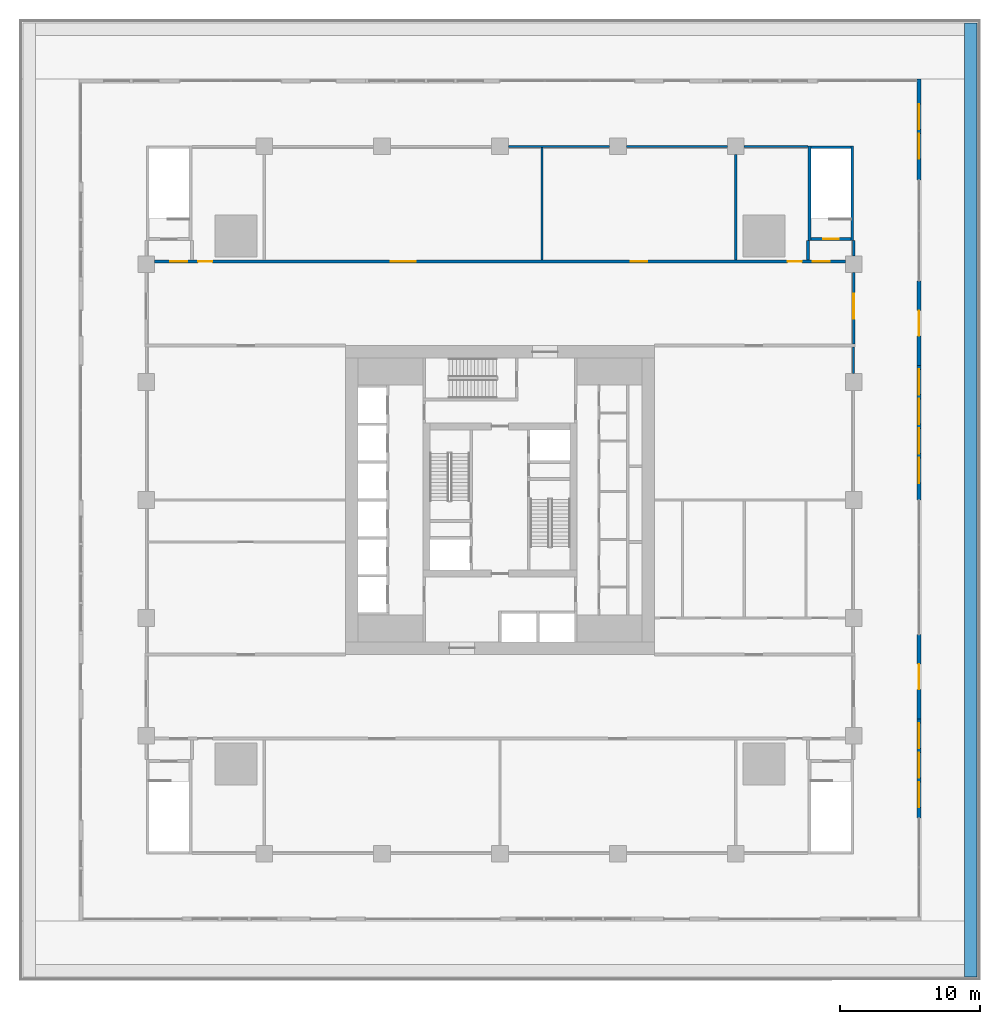
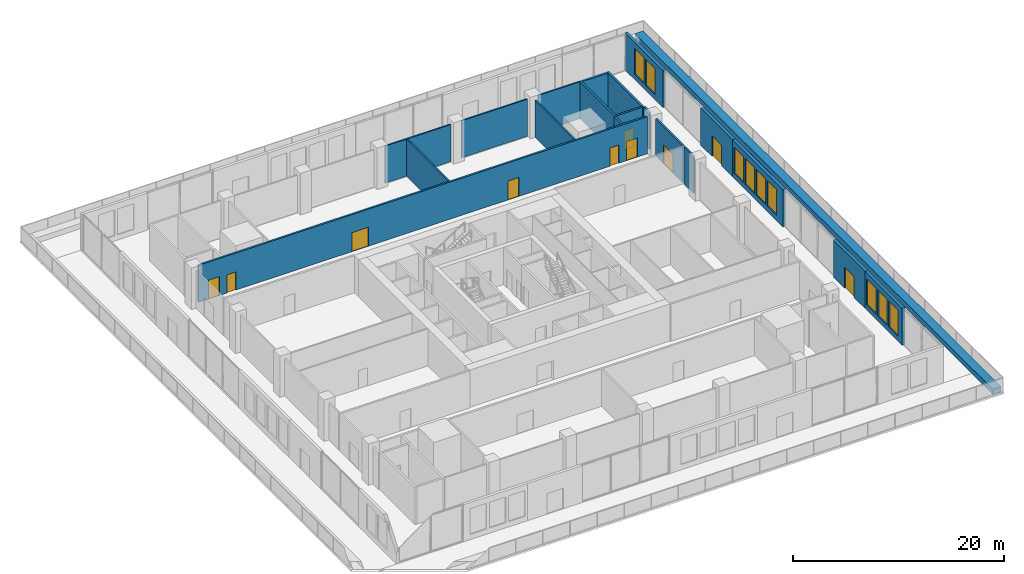
# One storey, part 16 of 22: 20 walls, 10 doors, 9 windows, 19 openings.
"""IFC4 building model written with IfcOpenShell, lengths in metres."""

import ifcopenshell
import ifcopenshell.guid

model = None  # the IFC model being written
_history = None  # IfcOwnerHistory: only IFC2X3 demands one
_inside = {}  # id of a spatial element -> (the spatial element, [elements in it])
_under = {}  # id of a project, library or spatial element -> (it, [spatial elements below it])
_declared = {}  # id of a project -> (the project, [libraries it declares])
_typed = {}  # id of a type object -> (the type object, [elements of that type])
_made_of = {}  # id of a material, layer set ... -> (it, [elements and type objects made of it])


def new_model(schema):
    """Start an empty IFC model of exactly this schema.

    Asked for "IFC4X3", IfcOpenShell would pick the latest addendum, in which some entities
    have other attributes; the version numbers below select the first issue.
    IFC2X3 requires an IfcOwnerHistory on every rooted entity: one is made here for all.
    """
    global model, _history
    if schema == "IFC4X3":
        model = ifcopenshell.file(schema_version=(4, 3, 0, 0))
    else:
        model = ifcopenshell.file(schema=schema)
    _inside.clear()
    _under.clear()
    _declared.clear()
    _typed.clear()
    _made_of.clear()
    _history = None
    if model.schema == "IFC2X3":
        org = make("IfcOrganization", Name="unknown")
        user = make(
            "IfcPersonAndOrganization",
            ThePerson=make("IfcPerson", FamilyName="unknown"),
            TheOrganization=org,
        )
        app = make(
            "IfcApplication",
            ApplicationDeveloper=org,
            Version="unknown",
            ApplicationFullName="unknown",
            ApplicationIdentifier="unknown",
        )
        _history = make(
            "IfcOwnerHistory",
            OwningUser=user,
            OwningApplication=app,
            ChangeAction="ADDED",
            CreationDate=0,
        )
    return model


def make(cls, **values):
    """One entity of the class cls with the attributes given. An attribute that is None is left unset."""
    return model.create_entity(
        cls, **{name: value for name, value in values.items() if value is not None}
    )


def rooted(cls, **values):
    """An entity with a GlobalId (a new one), such as an element, a storey or a relation."""
    return make(cls, GlobalId=ifcopenshell.guid.new(), OwnerHistory=_history, **values)


def si_unit(unit_type, name, prefix=None):
    """IfcSIUnit, for example si_unit("LENGTHUNIT", "METRE", prefix="MILLI")."""
    return make("IfcSIUnit", UnitType=unit_type, Prefix=prefix, Name=name)


def assignment(units):
    """IfcUnitAssignment: the units of a project."""
    return None if units is None else make("IfcUnitAssignment", Units=units)


def point(xyz):
    """IfcCartesianPoint."""
    return None if xyz is None else make("IfcCartesianPoint", Coordinates=xyz)


def direction(xyz):
    """IfcDirection."""
    return None if xyz is None else make("IfcDirection", DirectionRatios=xyz)


def frame(location, z_axis=None, x_axis=None):
    """IfcAxis2Placement3D, a coordinate frame: its origin and axes. An axis left out is left unset."""
    return make(
        "IfcAxis2Placement3D",
        Location=point(location),
        Axis=direction(z_axis),
        RefDirection=direction(x_axis),
    )


def frame_2d(location, x_axis=None):
    """IfcAxis2Placement2D, a coordinate frame in the plane: its origin and x axis."""
    return make(
        "IfcAxis2Placement2D", Location=point(location), RefDirection=direction(x_axis)
    )


def origin():
    """The frame at (0, 0, 0) with its axes left unset."""
    return frame((0.0, 0.0, 0.0))


def place(relative_to, where):
    """IfcLocalPlacement: puts the frame where relative to a parent placement (None: the world)."""
    return make(
        "IfcLocalPlacement", PlacementRelTo=relative_to, RelativePlacement=where
    )


def context(
    kind, dimensions, precision=None, world=None, true_north=None, identifier=None
):
    """IfcGeometricRepresentationContext, for example the 3D "Model" context."""
    return make(
        "IfcGeometricRepresentationContext",
        ContextIdentifier=identifier,
        ContextType=kind,
        CoordinateSpaceDimension=dimensions,
        Precision=precision,
        WorldCoordinateSystem=world,
        TrueNorth=true_north,
    )


def subcontext(parent, identifier, kind, view, scale=None):
    """IfcGeometricRepresentationSubContext, for example "Body" below "Model"."""
    return make(
        "IfcGeometricRepresentationSubContext",
        ContextIdentifier=identifier,
        ContextType=kind,
        ParentContext=parent,
        TargetScale=scale,
        TargetView=view,
    )


def project(units=None, contexts=None):
    """IfcProject with its units and contexts."""
    return rooted(
        "IfcProject",
        Name="project",
        RepresentationContexts=contexts,
        UnitsInContext=assignment(units),
    )


def spatial(cls, under=None, at=None, **own):
    """A site, building, storey or space (cls), placed at a placement, below another one or the project."""
    s = rooted(cls, ObjectPlacement=at, **own)
    if under is not None:
        _under.setdefault(under.id(), (under, []))[1].append(s)
    return s


def profile(cls, at=None, kind="AREA", **sizes):
    """A parametric profile (cls). Its sizes go by their IFC names, for example OverallWidth=200.0."""
    return make(cls, ProfileType=kind, Position=at, **sizes)


def rectangle(**sizes):
    """IfcRectangleProfileDef."""
    return profile("IfcRectangleProfileDef", **sizes)


def extrude(swept, where, along, depth):
    """IfcExtrudedAreaSolid: the profile swept, set in the frame where, extruded along a direction by depth."""
    return make(
        "IfcExtrudedAreaSolid",
        SweptArea=swept,
        Position=where,
        ExtrudedDirection=direction(along),
        Depth=depth,
    )


def shape(context_of_items, identifier, shape_type, items):
    """IfcShapeRepresentation: the items that make up one representation, for example the "Body"."""
    return make(
        "IfcShapeRepresentation",
        ContextOfItems=context_of_items,
        RepresentationIdentifier=identifier,
        RepresentationType=shape_type,
        Items=items,
    )


def material(Name=None, Category=None):
    """IfcMaterial."""
    return make("IfcMaterial", Name=Name, Category=Category)


def layer(
    of_material, thickness, ventilated=None, Name=None, Category=None, Priority=None
):
    """IfcMaterialLayer: one layer of a wall or slab, of a material (None: an air gap)."""
    return make(
        "IfcMaterialLayer",
        Material=of_material,
        LayerThickness=thickness,
        IsVentilated=ventilated,
        Name=Name,
        Category=Category,
        Priority=Priority,
    )


def layer_set(layers, Name=None):
    """IfcMaterialLayerSet."""
    return make("IfcMaterialLayerSet", MaterialLayers=layers, LayerSetName=Name)


def made_of(thing, what):
    """Note that an element or type object is made of a material, layer set ...; save() writes the relation."""
    if what is not None:
        _made_of.setdefault(what.id(), (what, []))[1].append(thing)
    return thing


def type_object(cls, material=None, **own):
    """A type object (cls), such as IfcWallType, which elements share."""
    return made_of(rooted(cls, **own), material)


def element(
    cls,
    number,
    at=None,
    inside=None,
    cuts=None,
    type_object=None,
    material=None,
    context=None,
    identifier="Body",
    shape_type=None,
    held_by="IfcProductDefinitionShape",
    body=None,
    shapes=None,
    **own,
):
    """One element of the class cls, such as IfcWall. Its Tag is "e" and its number.

    at: its placement. inside: the storey or other place that contains it. cuts: it is an
    opening in that element (IfcRelVoidsElement). A single representation is given by context,
    identifier, shape_type and body (its items); several are given by shapes. held_by: the class
    of the entity that holds the representations. save() writes the other relations.
    """
    e = rooted(cls, Tag="e%d" % number, ObjectPlacement=at, **own)
    if body is not None:
        shapes = [shape(context, identifier, shape_type, body)]
    if shapes is not None:
        e.Representation = make(held_by, Representations=shapes)
    if inside is not None:
        _inside.setdefault(inside.id(), (inside, []))[1].append(e)
    if cuts is not None:
        rooted(
            "IfcRelVoidsElement", RelatingBuildingElement=cuts, RelatedOpeningElement=e
        )
    if type_object is not None:
        _typed.setdefault(type_object.id(), (type_object, []))[1].append(e)
    return made_of(e, material)


def fill(opening, filler):
    """IfcRelFillsElement: the door or window that sits in an opening."""
    return rooted(
        "IfcRelFillsElement",
        RelatingOpeningElement=opening,
        RelatedBuildingElement=filler,
    )


def aggregate(whole, parts):
    """IfcRelAggregates: a whole, such as a stair, and the parts it consists of."""
    return rooted("IfcRelAggregates", RelatingObject=whole, RelatedObjects=parts)


def save(model, path):
    """Write the relations noted so far, then the file.

    IfcRelAggregates (storeys below a building ...), IfcRelContainedInSpatialStructure (elements
    in a storey), IfcRelDefinesByType, IfcRelAssociatesMaterial and IfcRelDeclares: one each for
    every whole, place, type object, material and project.
    """
    for whole, parts in _under.values():
        aggregate(whole, parts)
    for where, things in _inside.values():
        rooted(
            "IfcRelContainedInSpatialStructure",
            RelatedElements=things,
            RelatingStructure=where,
        )
    for kind, things in _typed.values():
        rooted("IfcRelDefinesByType", RelatedObjects=things, RelatingType=kind)
    for what, things in _made_of.values():
        rooted("IfcRelAssociatesMaterial", RelatedObjects=things, RelatingMaterial=what)
    for by, libraries in _declared.values():
        rooted("IfcRelDeclares", RelatingContext=by, RelatedDefinitions=libraries)
    model.write(path)


model = new_model("IFC4")

# Units and contexts
model_context = context("Model", 3, precision=1e-05, world=origin(), true_north=direction((0.0, 1.0)))
body_context = subcontext(model_context, "Body", "Model", "MODEL_VIEW")
ifc_project = project(units=[si_unit("LENGTHUNIT", "METRE"), si_unit("AREAUNIT", "SQUARE_METRE"), si_unit("VOLUMEUNIT", "CUBIC_METRE"), si_unit("PLANEANGLEUNIT", "RADIAN"), si_unit("MASSUNIT", "GRAM", prefix="KILO")], contexts=[model_context])

# Site, building, storey
site_placement = place(None, origin())
site = spatial("IfcSite", under=ifc_project, at=site_placement, CompositionType="ELEMENT")
building_placement = place(site_placement, origin())
building = spatial("IfcBuilding", under=site, at=building_placement, Name="Khepri Terraces", CompositionType="ELEMENT")
storey_placement = place(building_placement, frame((0.0, 0.0, 22.199951171875)))
storey = spatial("IfcBuildingStorey", under=building, at=storey_placement, Name="L04", CompositionType="ELEMENT", Elevation=22.199951171875)

# Wall, openings, windows
ifc_material_1 = material(Name="Precast concrete C50/60 warm stone", Category="masonry")
ifc_layer_1 = layer(ifc_material_1, 0.300048828125, Name="Precast concrete C50/60 warm stone", Category="masonry")
ifc_layer_set_1 = layer_set([ifc_layer_1], Name="Precast concrete C50/60 warm stone")
wall_type_1 = type_object("IfcWallType", Name="WL-EXT-PRECAST-300", PredefinedType="STANDARD", material=ifc_layer_set_1)
wall_1_placement = place(storey_placement, frame((29.85009765625, -22.64990234375, 0.0), z_axis=(0.0, 0.0, 1.0), x_axis=(0.0, 1.0, 0.0)))
wall_1 = element("IfcWall", 1, at=wall_1_placement, inside=storey, type_object=wall_type_1, Name="External wall L04 E", PredefinedType="STANDARD", context=body_context, shape_type="SweptSolid", body=[
    extrude(rectangle(XDim=7.0498046875, YDim=0.300048828125, at=frame_2d((3.52490234375, 0.0))), origin(), (0.0, 0.0, 1.0), 4.300048828125),
])
opening_1_placement = place(wall_1_placement, frame((0.75, 0.0, 0.60009765625)))
opening_1 = element("IfcOpeningElement", 2, at=opening_1_placement, cuts=wall_1, Name="Opening WP1", PredefinedType="OPENING", context=body_context, shape_type="SweptSolid", body=[
    extrude(rectangle(XDim=1.800048828125, YDim=3.0, at=frame_2d((0.89990234375, 1.5))), frame((0.0, 0.16015625, 0.0), z_axis=(0.0, -1.0, 0.0), x_axis=(1.0, 0.0, 0.0)), (0.0, 0.0, 1.0), 0.320068359375),
])
opening_2_placement = place(wall_1_placement, frame((2.85009765625, 0.0, 0.60009765625)))
opening_2 = element("IfcOpeningElement", 3, at=opening_2_placement, cuts=wall_1, Name="Opening WP1", PredefinedType="OPENING", context=body_context, shape_type="SweptSolid", body=[
    extrude(rectangle(XDim=1.800048828125, YDim=3.0, at=frame_2d((0.89990234375, 1.5))), frame((0.0, 0.16015625, 0.0), z_axis=(0.0, -1.0, 0.0), x_axis=(1.0, 0.0, 0.0)), (0.0, 0.0, 1.0), 0.320068359375),
])
opening_3_placement = place(wall_1_placement, frame((4.949951171875, 0.0, 0.60009765625)))
opening_3 = element("IfcOpeningElement", 4, at=opening_3_placement, cuts=wall_1, Name="Opening WP1", PredefinedType="OPENING", context=body_context, shape_type="SweptSolid", body=[
    extrude(rectangle(XDim=1.800048828125, YDim=3.0, at=frame_2d((0.89990234375, 1.5))), frame((0.0, 0.16015625, 0.0), z_axis=(0.0, -1.0, 0.0), x_axis=(1.0, 0.0, 0.0)), (0.0, 0.0, 1.0), 0.320068359375),
])
ifc_material_2 = material(Name="Clear glass", Category="glass")
window_type = type_object("IfcWindowType", Name="WIN-POD-1800x3000", PartitioningType="SINGLE_PANEL", PredefinedType="WINDOW", material=ifc_material_2)
window_1_placement = place(opening_1_placement, origin())
window_1 = element("IfcWindow", 5, at=window_1_placement, inside=storey, type_object=window_type, Name="Window L04 E", OverallHeight=3.0, OverallWidth=1.800048828125, PartitioningType="SINGLE_PANEL", PredefinedType="WINDOW", context=body_context, shape_type="SweptSolid", body=[
    extrude(rectangle(XDim=1.800048828125, YDim=3.0, at=frame_2d((0.89990234375, 1.5))), frame((0.0, 0.030029296875, 0.0), z_axis=(0.0, -1.0, 0.0), x_axis=(1.0, 0.0, 0.0)), (0.0, 0.0, 1.0), 0.06005859375),
])
fill(opening_1, window_1)
window_2_placement = place(opening_2_placement, origin())
window_2 = element("IfcWindow", 6, at=window_2_placement, inside=storey, type_object=window_type, Name="Window L04 E", OverallHeight=3.0, OverallWidth=1.800048828125, PartitioningType="SINGLE_PANEL", PredefinedType="WINDOW", context=body_context, shape_type="SweptSolid", body=[
    extrude(rectangle(XDim=1.800048828125, YDim=3.0, at=frame_2d((0.89990234375, 1.5))), frame((0.0, 0.030029296875, 0.0), z_axis=(0.0, -1.0, 0.0), x_axis=(1.0, 0.0, 0.0)), (0.0, 0.0, 1.0), 0.06005859375),
])
fill(opening_2, window_2)
window_3_placement = place(opening_3_placement, origin())
window_3 = element("IfcWindow", 7, at=window_3_placement, inside=storey, type_object=window_type, Name="Window L04 E", OverallHeight=3.0, OverallWidth=1.800048828125, PartitioningType="SINGLE_PANEL", PredefinedType="WINDOW", context=body_context, shape_type="SweptSolid", body=[
    extrude(rectangle(XDim=1.800048828125, YDim=3.0, at=frame_2d((0.89990234375, 1.5))), frame((0.0, 0.030029296875, 0.0), z_axis=(0.0, -1.0, 0.0), x_axis=(1.0, 0.0, 0.0)), (0.0, 0.0, 1.0), 0.06005859375),
])
fill(opening_3, window_3)

# Wall, opening, door
wall_2_placement = place(storey_placement, frame((29.85009765625, -15.60009765625, 0.0), z_axis=(0.0, 0.0, 1.0), x_axis=(0.0, 1.0, 0.0)))
wall_2 = element("IfcWall", 8, at=wall_2_placement, inside=storey, type_object=wall_type_1, Name="External wall L04 E", PredefinedType="STANDARD", context=body_context, shape_type="SweptSolid", body=[
    extrude(rectangle(XDim=6.0, YDim=0.300048828125, at=frame_2d((3.0, 0.0))), origin(), (0.0, 0.0, 1.0), 4.300048828125),
])
opening_4_placement = place(wall_2_placement, frame((2.10009765625, 0.0, 0.0)))
opening_4 = element("IfcOpeningElement", 9, at=opening_4_placement, cuts=wall_2, Name="Opening ED-L04-03", PredefinedType="OPENING", context=body_context, shape_type="SweptSolid", body=[
    extrude(rectangle(XDim=1.800048828125, YDim=2.39990234375, at=frame_2d((0.89990234375, 1.199951171875))), frame((0.0, 0.16015625, 0.0), z_axis=(0.0, -1.0, 0.0), x_axis=(1.0, 0.0, 0.0)), (0.0, 0.0, 1.0), 0.320068359375),
])
ifc_material_3 = material(Name="Anodised aluminium bronze glazed door", Category="aluminium")
door_type_1 = type_object("IfcDoorType", Name="DR-BAL-SLIDE-1800x2400", OperationType="NOTDEFINED", PredefinedType="DOOR", material=ifc_material_3)
door_1_placement = place(opening_4_placement, origin())
door_1 = element("IfcDoor", 10, at=door_1_placement, inside=storey, type_object=door_type_1, Name="Balcony door L04 E", OperationType="SLIDING_TO_RIGHT", OverallHeight=2.39990234375, OverallWidth=1.800048828125, PredefinedType="DOOR", context=body_context, shape_type="SweptSolid", body=[
    extrude(rectangle(XDim=1.800048828125, YDim=2.39990234375, at=frame_2d((0.89990234375, 1.199951171875))), frame((0.0, 0.02490234375, 0.0), z_axis=(0.0, -1.0, 0.0), x_axis=(1.0, 0.0, 0.0)), (0.0, 0.0, 1.0), 0.050048828125),
])
fill(opening_4, door_1)

# Wall, openings, windows
wall_3_placement = place(storey_placement, frame((29.85009765625, 0.0, 0.0), z_axis=(0.0, 0.0, 1.0), x_axis=(0.0, 1.0, 0.0)))
wall_3 = element("IfcWall", 11, at=wall_3_placement, inside=storey, type_object=wall_type_1, Name="External wall L04 E", PredefinedType="STANDARD", context=body_context, shape_type="SweptSolid", body=[
    extrude(rectangle(XDim=9.60009765625, YDim=0.300048828125, at=frame_2d((4.800048828125, 0.0))), origin(), (0.0, 0.0, 1.0), 4.300048828125),
])
opening_5_placement = place(wall_3_placement, frame((1.199951171875, 0.0, 0.60009765625)))
opening_5 = element("IfcOpeningElement", 12, at=opening_5_placement, cuts=wall_3, Name="Opening WP1", PredefinedType="OPENING", context=body_context, shape_type="SweptSolid", body=[
    extrude(rectangle(XDim=1.800048828125, YDim=3.0, at=frame_2d((0.89990234375, 1.5))), frame((0.0, 0.16015625, 0.0), z_axis=(0.0, -1.0, 0.0), x_axis=(1.0, 0.0, 0.0)), (0.0, 0.0, 1.0), 0.320068359375),
])
opening_6_placement = place(wall_3_placement, frame((3.300048828125, 0.0, 0.60009765625)))
opening_6 = element("IfcOpeningElement", 13, at=opening_6_placement, cuts=wall_3, Name="Opening WP1", PredefinedType="OPENING", context=body_context, shape_type="SweptSolid", body=[
    extrude(rectangle(XDim=1.800048828125, YDim=3.0, at=frame_2d((0.89990234375, 1.5))), frame((0.0, 0.16015625, 0.0), z_axis=(0.0, -1.0, 0.0), x_axis=(1.0, 0.0, 0.0)), (0.0, 0.0, 1.0), 0.320068359375),
])
opening_7_placement = place(wall_3_placement, frame((5.39990234375, 0.0, 0.60009765625)))
opening_7 = element("IfcOpeningElement", 14, at=opening_7_placement, cuts=wall_3, Name="Opening WP1", PredefinedType="OPENING", context=body_context, shape_type="SweptSolid", body=[
    extrude(rectangle(XDim=1.800048828125, YDim=3.0, at=frame_2d((0.89990234375, 1.5))), frame((0.0, 0.16015625, 0.0), z_axis=(0.0, -1.0, 0.0), x_axis=(1.0, 0.0, 0.0)), (0.0, 0.0, 1.0), 0.320068359375),
])
opening_8_placement = place(wall_3_placement, frame((7.5, 0.0, 0.60009765625)))
opening_8 = element("IfcOpeningElement", 15, at=opening_8_placement, cuts=wall_3, Name="Opening WP1", PredefinedType="OPENING", context=body_context, shape_type="SweptSolid", body=[
    extrude(rectangle(XDim=1.800048828125, YDim=3.0, at=frame_2d((0.89990234375, 1.5))), frame((0.0, 0.16015625, 0.0), z_axis=(0.0, -1.0, 0.0), x_axis=(1.0, 0.0, 0.0)), (0.0, 0.0, 1.0), 0.320068359375),
])
window_4_placement = place(opening_5_placement, origin())
window_4 = element("IfcWindow", 16, at=window_4_placement, inside=storey, type_object=window_type, Name="Window L04 E", OverallHeight=3.0, OverallWidth=1.800048828125, PartitioningType="SINGLE_PANEL", PredefinedType="WINDOW", context=body_context, shape_type="SweptSolid", body=[
    extrude(rectangle(XDim=1.800048828125, YDim=3.0, at=frame_2d((0.89990234375, 1.5))), frame((0.0, 0.030029296875, 0.0), z_axis=(0.0, -1.0, 0.0), x_axis=(1.0, 0.0, 0.0)), (0.0, 0.0, 1.0), 0.06005859375),
])
fill(opening_5, window_4)
window_5_placement = place(opening_6_placement, origin())
window_5 = element("IfcWindow", 17, at=window_5_placement, inside=storey, type_object=window_type, Name="Window L04 E", OverallHeight=3.0, OverallWidth=1.800048828125, PartitioningType="SINGLE_PANEL", PredefinedType="WINDOW", context=body_context, shape_type="SweptSolid", body=[
    extrude(rectangle(XDim=1.800048828125, YDim=3.0, at=frame_2d((0.89990234375, 1.5))), frame((0.0, 0.030029296875, 0.0), z_axis=(0.0, -1.0, 0.0), x_axis=(1.0, 0.0, 0.0)), (0.0, 0.0, 1.0), 0.06005859375),
])
fill(opening_6, window_5)
window_6_placement = place(opening_7_placement, origin())
window_6 = element("IfcWindow", 18, at=window_6_placement, inside=storey, type_object=window_type, Name="Window L04 E", OverallHeight=3.0, OverallWidth=1.800048828125, PartitioningType="SINGLE_PANEL", PredefinedType="WINDOW", context=body_context, shape_type="SweptSolid", body=[
    extrude(rectangle(XDim=1.800048828125, YDim=3.0, at=frame_2d((0.89990234375, 1.5))), frame((0.0, 0.030029296875, 0.0), z_axis=(0.0, -1.0, 0.0), x_axis=(1.0, 0.0, 0.0)), (0.0, 0.0, 1.0), 0.06005859375),
])
fill(opening_7, window_6)
window_7_placement = place(opening_8_placement, origin())
window_7 = element("IfcWindow", 19, at=window_7_placement, inside=storey, type_object=window_type, Name="Window L04 E", OverallHeight=3.0, OverallWidth=1.800048828125, PartitioningType="SINGLE_PANEL", PredefinedType="WINDOW", context=body_context, shape_type="SweptSolid", body=[
    extrude(rectangle(XDim=1.800048828125, YDim=3.0, at=frame_2d((0.89990234375, 1.5))), frame((0.0, 0.030029296875, 0.0), z_axis=(0.0, -1.0, 0.0), x_axis=(1.0, 0.0, 0.0)), (0.0, 0.0, 1.0), 0.06005859375),
])
fill(opening_8, window_7)

# Wall, opening, door
wall_4_placement = place(storey_placement, frame((29.85009765625, 9.60009765625, 0.0), z_axis=(0.0, 0.0, 1.0), x_axis=(0.0, 1.0, 0.0)))
wall_4 = element("IfcWall", 20, at=wall_4_placement, inside=storey, type_object=wall_type_1, Name="External wall L04 E", PredefinedType="STANDARD", context=body_context, shape_type="SweptSolid", body=[
    extrude(rectangle(XDim=6.0, YDim=0.300048828125, at=frame_2d((3.0, 0.0))), origin(), (0.0, 0.0, 1.0), 4.300048828125),
])
opening_9_placement = place(wall_4_placement, frame((2.10009765625, 0.0, 0.0)))
opening_9 = element("IfcOpeningElement", 21, at=opening_9_placement, cuts=wall_4, Name="Opening ED-L04-04", PredefinedType="OPENING", context=body_context, shape_type="SweptSolid", body=[
    extrude(rectangle(XDim=1.800048828125, YDim=2.39990234375, at=frame_2d((0.89990234375, 1.199951171875))), frame((0.0, 0.16015625, 0.0), z_axis=(0.0, -1.0, 0.0), x_axis=(1.0, 0.0, 0.0)), (0.0, 0.0, 1.0), 0.320068359375),
])
door_2_placement = place(opening_9_placement, origin())
door_2 = element("IfcDoor", 22, at=door_2_placement, inside=storey, type_object=door_type_1, Name="Balcony door L04 E", OperationType="SLIDING_TO_RIGHT", OverallHeight=2.39990234375, OverallWidth=1.800048828125, PredefinedType="DOOR", context=body_context, shape_type="SweptSolid", body=[
    extrude(rectangle(XDim=1.800048828125, YDim=2.39990234375, at=frame_2d((0.89990234375, 1.199951171875))), frame((0.0, 0.02490234375, 0.0), z_axis=(0.0, -1.0, 0.0), x_axis=(1.0, 0.0, 0.0)), (0.0, 0.0, 1.0), 0.050048828125),
])
fill(opening_9, door_2)

# Wall, openings, windows
wall_5_placement = place(storey_placement, frame((29.85009765625, 22.800048828125, 0.0), z_axis=(0.0, 0.0, 1.0), x_axis=(0.0, 1.0, 0.0)))
wall_5 = element("IfcWall", 23, at=wall_5_placement, inside=storey, type_object=wall_type_1, Name="External wall L04 E", PredefinedType="STANDARD", context=body_context, shape_type="SweptSolid", body=[
    extrude(rectangle(XDim=7.199951171875, YDim=0.300048828125, at=frame_2d((3.60009765625, 0.0))), origin(), (0.0, 0.0, 1.0), 4.300048828125),
])
opening_10_placement = place(wall_5_placement, frame((1.5, 0.0, 0.60009765625)))
opening_10 = element("IfcOpeningElement", 24, at=opening_10_placement, cuts=wall_5, Name="Opening WP1", PredefinedType="OPENING", context=body_context, shape_type="SweptSolid", body=[
    extrude(rectangle(XDim=1.800048828125, YDim=3.0, at=frame_2d((0.89990234375, 1.5))), frame((0.0, 0.16015625, 0.0), z_axis=(0.0, -1.0, 0.0), x_axis=(1.0, 0.0, 0.0)), (0.0, 0.0, 1.0), 0.320068359375),
])
opening_11_placement = place(wall_5_placement, frame((3.60009765625, 0.0, 0.60009765625)))
opening_11 = element("IfcOpeningElement", 25, at=opening_11_placement, cuts=wall_5, Name="Opening WP1", PredefinedType="OPENING", context=body_context, shape_type="SweptSolid", body=[
    extrude(rectangle(XDim=1.800048828125, YDim=3.0, at=frame_2d((0.89990234375, 1.5))), frame((0.0, 0.16015625, 0.0), z_axis=(0.0, -1.0, 0.0), x_axis=(1.0, 0.0, 0.0)), (0.0, 0.0, 1.0), 0.320068359375),
])
window_8_placement = place(opening_10_placement, origin())
window_8 = element("IfcWindow", 26, at=window_8_placement, inside=storey, type_object=window_type, Name="Window L04 E", OverallHeight=3.0, OverallWidth=1.800048828125, PartitioningType="SINGLE_PANEL", PredefinedType="WINDOW", context=body_context, shape_type="SweptSolid", body=[
    extrude(rectangle(XDim=1.800048828125, YDim=3.0, at=frame_2d((0.89990234375, 1.5))), frame((0.0, 0.030029296875, 0.0), z_axis=(0.0, -1.0, 0.0), x_axis=(1.0, 0.0, 0.0)), (0.0, 0.0, 1.0), 0.06005859375),
])
fill(opening_10, window_8)
window_9_placement = place(opening_11_placement, origin())
window_9 = element("IfcWindow", 27, at=window_9_placement, inside=storey, type_object=window_type, Name="Window L04 E", OverallHeight=3.0, OverallWidth=1.800048828125, PartitioningType="SINGLE_PANEL", PredefinedType="WINDOW", context=body_context, shape_type="SweptSolid", body=[
    extrude(rectangle(XDim=1.800048828125, YDim=3.0, at=frame_2d((0.89990234375, 1.5))), frame((0.0, 0.030029296875, 0.0), z_axis=(0.0, -1.0, 0.0), x_axis=(1.0, 0.0, 0.0)), (0.0, 0.0, 1.0), 0.06005859375),
])
fill(opening_11, window_9)

# Walls
ifc_layer_2 = layer(ifc_material_1, 0.89990234375, Name="Precast concrete C50/60 warm stone", Category="masonry")
ifc_layer_set_2 = layer_set([ifc_layer_2], Name="Precast concrete C50/60 warm stone")
wall_type_2 = type_object("IfcWallType", Name="WL-PLANTER-900", PredefinedType="MOVABLE", material=ifc_layer_set_2)
wall_6_placement = place(storey_placement, frame((33.550048828125, -34.0, 0.0), z_axis=(0.0, 0.0, 1.0), x_axis=(0.0, 1.0, 0.0)))
element("IfcWall", 28, at=wall_6_placement, inside=storey, type_object=wall_type_2, Name="Planter L04", PredefinedType="MOVABLE", context=body_context, shape_type="SweptSolid", body=[
    extrude(rectangle(XDim=68.0, YDim=0.89990234375, at=frame_2d((34.0, 0.0))), origin(), (0.0, 0.0, 1.0), 0.60009765625),
])
ifc_material_4 = material(Name="Gypsum board partition")
ifc_layer_3 = layer(ifc_material_4, 0.14990234375, Name="Gypsum board partition")
ifc_layer_set_3 = layer_set([ifc_layer_3], Name="Gypsum board partition")
wall_type_3 = type_object("IfcWallType", Name="WL-POD-150", PredefinedType="PARTITIONING", material=ifc_layer_set_3)
for number, where, z_axis, x_axis, name in (
    (29, (0.60009765625, 25.199951171875, 0.0), (0.0, 0.0, 1.0), (1.0, 0.0, 0.0), "Partition L04-PW020"),
    (30, (9.0, 25.199951171875, 0.0), (0.0, 0.0, 1.0), (1.0, 0.0, 0.0), "Partition L04-PW021"),
):
    element("IfcWall", number, at=place(storey_placement, frame(where, z_axis=z_axis, x_axis=x_axis)), inside=storey, type_object=wall_type_3, Name=name, PredefinedType="PARTITIONING", context=body_context, shape_type="SweptSolid", body=[
        extrude(rectangle(XDim=7.199951171875, YDim=0.14990234375, at=frame_2d((3.60009765625, 0.0))), origin(), (0.0, 0.0, 1.0), 4.300048828125),
    ])
wall_7_placement = place(storey_placement, frame((17.39990234375, 25.199951171875, 0.0), z_axis=(0.0, 0.0, 1.0), x_axis=(1.0, 0.0, 0.0)))
element("IfcWall", 31, at=wall_7_placement, inside=storey, type_object=wall_type_3, Name="Partition L04-PW022", PredefinedType="PARTITIONING", context=body_context, shape_type="SweptSolid", body=[
    extrude(rectangle(XDim=4.550048828125, YDim=0.14990234375, at=frame_2d((2.27490234375, 0.0))), origin(), (0.0, 0.0, 1.0), 4.300048828125),
])
wall_8_placement = place(storey_placement, frame((3.0, 17.10009765625, 0.0), z_axis=(0.0, 0.0, 1.0), x_axis=(0.0, 1.0, 0.0)))
element("IfcWall", 32, at=wall_8_placement, inside=storey, type_object=wall_type_3, Name="Partition L04-PW036", PredefinedType="PARTITIONING", context=body_context, shape_type="SweptSolid", body=[
    extrude(rectangle(XDim=8.02490234375, YDim=0.14990234375, at=frame_2d((4.012451171875, 0.0))), origin(), (0.0, 0.0, 1.0), 4.300048828125),
])
wall_9_placement = place(storey_placement, frame((16.800048828125, 17.10009765625, 0.0), z_axis=(0.0, 0.0, 1.0), x_axis=(0.0, 1.0, 0.0)))
element("IfcWall", 33, at=wall_9_placement, inside=storey, type_object=wall_type_3, Name="Partition L04-PW039", PredefinedType="PARTITIONING", context=body_context, shape_type="SweptSolid", body=[
    extrude(rectangle(XDim=7.5, YDim=0.14990234375, at=frame_2d((3.75, 0.0))), origin(), (0.0, 0.0, 1.0), 4.300048828125),
])
wall_10_placement = place(storey_placement, frame((25.199951171875, 9.0, 0.0), z_axis=(0.0, 0.0, 1.0), x_axis=(0.0, 1.0, 0.0)))
element("IfcWall", 34, at=wall_10_placement, inside=storey, type_object=wall_type_3, Name="Partition L04-PW049", PredefinedType="PARTITIONING", context=body_context, shape_type="SweptSolid", body=[
    extrude(rectangle(XDim=1.89990234375, YDim=0.14990234375, at=frame_2d((0.949951171875, 0.0))), origin(), (0.0, 0.0, 1.0), 4.300048828125),
])

# Wall, openings, doors
ifc_material_5 = material(Name="Fire-rated block wall")
ifc_layer_4 = layer(ifc_material_5, 0.199951171875, Name="Fire-rated block wall")
ifc_layer_set_4 = layer_set([ifc_layer_4], Name="Fire-rated block wall")
wall_type_4 = type_object("IfcWallType", Name="WL-POD-200-EI60", PredefinedType="PARTITIONING", material=ifc_layer_set_4)
wall_11_placement = place(storey_placement, frame((-24.60009765625, 17.0, 0.0), z_axis=(0.0, 0.0, 1.0), x_axis=(1.0, 0.0, 0.0)))
wall_11 = element("IfcWall", 35, at=wall_11_placement, inside=storey, type_object=wall_type_4, Name="Partition L04-PW016", PredefinedType="PARTITIONING", context=body_context, shape_type="SweptSolid", body=[
    extrude(rectangle(XDim=49.2001953125, YDim=0.199951171875, at=frame_2d((24.60009765625, 0.0))), origin(), (0.0, 0.0, 1.0), 4.300048828125),
])
opening_12_placement = place(wall_11_placement, frame((1.10009765625, 0.0, 0.0)))
opening_12 = element("IfcOpeningElement", 36, at=opening_12_placement, cuts=wall_11, Name="Opening L04-P20", PredefinedType="OPENING", context=body_context, shape_type="SweptSolid", body=[
    extrude(rectangle(XDim=1.199951171875, YDim=2.199951171875, at=frame_2d((0.60009765625, 1.10009765625))), frame((0.0, 0.10986328125, 0.0), z_axis=(0.0, -1.0, 0.0), x_axis=(1.0, 0.0, 0.0)), (0.0, 0.0, 1.0), 0.219970703125),
])
opening_13_placement = place(wall_11_placement, frame((3.10009765625, 0.0, 0.0)))
opening_13 = element("IfcOpeningElement", 37, at=opening_13_placement, cuts=wall_11, Name="Opening L04-P21", PredefinedType="OPENING", context=body_context, shape_type="SweptSolid", body=[
    extrude(rectangle(XDim=1.0, YDim=2.10009765625, at=frame_2d((0.5, 1.050048828125))), frame((0.0, 0.10986328125, 0.0), z_axis=(0.0, -1.0, 0.0), x_axis=(1.0, 0.0, 0.0)), (0.0, 0.0, 1.0), 0.219970703125),
])
opening_14_placement = place(wall_11_placement, frame((16.800048828125, 0.0, 0.0)))
opening_14 = element("IfcOpeningElement", 38, at=opening_14_placement, cuts=wall_11, Name="Opening L04-P22", PredefinedType="OPENING", context=body_context, shape_type="SweptSolid", body=[
    extrude(rectangle(XDim=1.800048828125, YDim=2.199951171875, at=frame_2d((0.89990234375, 1.10009765625))), frame((0.0, 0.10986328125, 0.0), z_axis=(0.0, -1.0, 0.0), x_axis=(1.0, 0.0, 0.0)), (0.0, 0.0, 1.0), 0.219970703125),
])
opening_15_placement = place(wall_11_placement, frame((33.89990234375, 0.0, 0.0)))
opening_15 = element("IfcOpeningElement", 39, at=opening_15_placement, cuts=wall_11, Name="Opening L04-P23", PredefinedType="OPENING", context=body_context, shape_type="SweptSolid", body=[
    extrude(rectangle(XDim=1.199951171875, YDim=2.199951171875, at=frame_2d((0.60009765625, 1.10009765625))), frame((0.0, 0.10986328125, 0.0), z_axis=(0.0, -1.0, 0.0), x_axis=(1.0, 0.0, 0.0)), (0.0, 0.0, 1.0), 0.219970703125),
])
opening_16_placement = place(wall_11_placement, frame((45.10009765625, 0.0, 0.0)))
opening_16 = element("IfcOpeningElement", 40, at=opening_16_placement, cuts=wall_11, Name="Opening L04-P24", PredefinedType="OPENING", context=body_context, shape_type="SweptSolid", body=[
    extrude(rectangle(XDim=1.0, YDim=2.10009765625, at=frame_2d((0.5, 1.050048828125))), frame((0.0, 0.10986328125, 0.0), z_axis=(0.0, -1.0, 0.0), x_axis=(1.0, 0.0, 0.0)), (0.0, 0.0, 1.0), 0.219970703125),
])
opening_17_placement = place(wall_11_placement, frame((46.89990234375, 0.0, 0.0)))
opening_17 = element("IfcOpeningElement", 41, at=opening_17_placement, cuts=wall_11, Name="Opening L04-P25", PredefinedType="OPENING", context=body_context, shape_type="SweptSolid", body=[
    extrude(rectangle(XDim=1.199951171875, YDim=2.199951171875, at=frame_2d((0.60009765625, 1.10009765625))), frame((0.0, 0.10986328125, 0.0), z_axis=(0.0, -1.0, 0.0), x_axis=(1.0, 0.0, 0.0)), (0.0, 0.0, 1.0), 0.219970703125),
])
ifc_material_6 = material(Name="Painted steel", Category="steel")
door_type_2 = type_object("IfcDoorType", Name="DR-POD-FIRE-1200", OperationType="NOTDEFINED", PredefinedType="DOOR", material=ifc_material_6)
door_3_placement = place(opening_12_placement, origin())
door_3 = element("IfcDoor", 42, at=door_3_placement, inside=storey, type_object=door_type_2, Name="Fire door L04-P20", OperationType="SINGLE_SWING_RIGHT", OverallHeight=2.199951171875, OverallWidth=1.199951171875, PredefinedType="DOOR", context=body_context, shape_type="SweptSolid", body=[
    extrude(rectangle(XDim=1.199951171875, YDim=2.199951171875, at=frame_2d((0.60009765625, 1.10009765625))), frame((0.0, 0.02490234375, 0.0), z_axis=(0.0, -1.0, 0.0), x_axis=(1.0, 0.0, 0.0)), (0.0, 0.0, 1.0), 0.050048828125),
])
fill(opening_12, door_3)
door_4_placement = place(opening_17_placement, origin())
door_4 = element("IfcDoor", 43, at=door_4_placement, inside=storey, type_object=door_type_2, Name="Fire door L04-P25", OperationType="SINGLE_SWING_LEFT", OverallHeight=2.199951171875, OverallWidth=1.199951171875, PredefinedType="DOOR", context=body_context, shape_type="SweptSolid", body=[
    extrude(rectangle(XDim=1.199951171875, YDim=2.199951171875, at=frame_2d((0.60009765625, 1.10009765625))), frame((0.0, 0.02490234375, 0.0), z_axis=(0.0, -1.0, 0.0), x_axis=(1.0, 0.0, 0.0)), (0.0, 0.0, 1.0), 0.050048828125),
])
fill(opening_17, door_4)
ifc_material_7 = material(Name="Glazed aluminium", Category="aluminium")
door_type_3 = type_object("IfcDoorType", Name="DR-POD-PAIR-1800", OperationType="DOUBLE_DOOR_SINGLE_SWING", PredefinedType="DOOR", material=ifc_material_7)
door_5_placement = place(opening_14_placement, origin())
door_5 = element("IfcDoor", 44, at=door_5_placement, inside=storey, type_object=door_type_3, Name="Double door L04-P22", OperationType="DOUBLE_DOOR_SINGLE_SWING", OverallHeight=2.199951171875, OverallWidth=1.800048828125, PredefinedType="DOOR", context=body_context, shape_type="SweptSolid", body=[
    extrude(rectangle(XDim=1.800048828125, YDim=2.199951171875, at=frame_2d((0.89990234375, 1.10009765625))), frame((0.0, 0.02490234375, 0.0), z_axis=(0.0, -1.0, 0.0), x_axis=(1.0, 0.0, 0.0)), (0.0, 0.0, 1.0), 0.050048828125),
])
fill(opening_14, door_5)
ifc_material_8 = material(Name="Timber veneer", Category="wood")
door_type_4 = type_object("IfcDoorType", Name="DR-POD-SINGLE-1000", OperationType="NOTDEFINED", PredefinedType="DOOR", material=ifc_material_8)
door_6_placement = place(opening_13_placement, origin())
door_6 = element("IfcDoor", 45, at=door_6_placement, inside=storey, type_object=door_type_4, Name="Door L04-P21", OperationType="SINGLE_SWING_LEFT", OverallHeight=2.10009765625, OverallWidth=1.0, PredefinedType="DOOR", context=body_context, shape_type="SweptSolid", body=[
    extrude(rectangle(XDim=1.0, YDim=2.10009765625, at=frame_2d((0.5, 1.050048828125))), frame((0.0, 0.02490234375, 0.0), z_axis=(0.0, -1.0, 0.0), x_axis=(1.0, 0.0, 0.0)), (0.0, 0.0, 1.0), 0.050048828125),
])
fill(opening_13, door_6)
door_7_placement = place(opening_16_placement, origin())
door_7 = element("IfcDoor", 46, at=door_7_placement, inside=storey, type_object=door_type_4, Name="Door L04-P24", OperationType="SINGLE_SWING_RIGHT", OverallHeight=2.10009765625, OverallWidth=1.0, PredefinedType="DOOR", context=body_context, shape_type="SweptSolid", body=[
    extrude(rectangle(XDim=1.0, YDim=2.10009765625, at=frame_2d((0.5, 1.050048828125))), frame((0.0, 0.02490234375, 0.0), z_axis=(0.0, -1.0, 0.0), x_axis=(1.0, 0.0, 0.0)), (0.0, 0.0, 1.0), 0.050048828125),
])
fill(opening_16, door_7)
door_type_5 = type_object("IfcDoorType", Name="DR-POD-SINGLE-1200", OperationType="NOTDEFINED", PredefinedType="DOOR", material=ifc_material_8)
door_8_placement = place(opening_15_placement, origin())
door_8 = element("IfcDoor", 47, at=door_8_placement, inside=storey, type_object=door_type_5, Name="Door L04-P23", OperationType="SINGLE_SWING_RIGHT", OverallHeight=2.199951171875, OverallWidth=1.199951171875, PredefinedType="DOOR", context=body_context, shape_type="SweptSolid", body=[
    extrude(rectangle(XDim=1.199951171875, YDim=2.199951171875, at=frame_2d((0.60009765625, 1.10009765625))), frame((0.0, 0.02490234375, 0.0), z_axis=(0.0, -1.0, 0.0), x_axis=(1.0, 0.0, 0.0)), (0.0, 0.0, 1.0), 0.050048828125),
])
fill(opening_15, door_8)

# Wall
wall_12_placement = place(storey_placement, frame((21.949951171875, 17.10009765625, 0.0), z_axis=(0.0, 0.0, 1.0), x_axis=(0.0, 1.0, 0.0)))
element("IfcWall", 48, at=wall_12_placement, inside=storey, type_object=wall_type_4, Name="Partition L04-PW043", PredefinedType="PARTITIONING", context=body_context, shape_type="SweptSolid", body=[
    extrude(rectangle(XDim=1.39990234375, YDim=0.199951171875, at=frame_2d((0.699951171875, 0.0))), origin(), (0.0, 0.0, 1.0), 4.300048828125),
])

# Wall, opening, door
wall_13_placement = place(storey_placement, frame((25.199951171875, 11.10009765625, 0.0), z_axis=(0.0, 0.0, 1.0), x_axis=(0.0, 1.0, 0.0)))
wall_13 = element("IfcWall", 49, at=wall_13_placement, inside=storey, type_object=wall_type_4, Name="Partition L04-PW050", PredefinedType="PARTITIONING", context=body_context, shape_type="SweptSolid", body=[
    extrude(rectangle(XDim=5.099853515625, YDim=0.199951171875, at=frame_2d((2.5498046875, 0.0))), origin(), (0.0, 0.0, 1.0), 4.300048828125),
])
opening_18_placement = place(wall_13_placement, frame((1.800048828125, 0.0, 0.0)))
opening_18 = element("IfcOpeningElement", 50, at=opening_18_placement, cuts=wall_13, Name="Opening L04-P19", PredefinedType="OPENING", context=body_context, shape_type="SweptSolid", body=[
    extrude(rectangle(XDim=1.800048828125, YDim=2.199951171875, at=frame_2d((0.89990234375, 1.10009765625))), frame((0.0, 0.10986328125, 0.0), z_axis=(0.0, -1.0, 0.0), x_axis=(1.0, 0.0, 0.0)), (0.0, 0.0, 1.0), 0.219970703125),
])
door_type_6 = type_object("IfcDoorType", Name="DR-POD-FIRE-PAIR-1800", OperationType="DOUBLE_DOOR_SINGLE_SWING", PredefinedType="DOOR", material=ifc_material_6)
door_9_placement = place(opening_18_placement, origin())
door_9 = element("IfcDoor", 51, at=door_9_placement, inside=storey, type_object=door_type_6, Name="Fire door pair L04-P19", OperationType="DOUBLE_DOOR_SINGLE_SWING", OverallHeight=2.199951171875, OverallWidth=1.800048828125, PredefinedType="DOOR", context=body_context, shape_type="SweptSolid", body=[
    extrude(rectangle(XDim=1.800048828125, YDim=2.199951171875, at=frame_2d((0.89990234375, 1.10009765625))), frame((0.0, 0.02490234375, 0.0), z_axis=(0.0, -1.0, 0.0), x_axis=(1.0, 0.0, 0.0)), (0.0, 0.0, 1.0), 0.050048828125),
])
fill(opening_18, door_9)

# Walls
wall_14_placement = place(storey_placement, frame((25.199951171875, 17.39990234375, 0.0), z_axis=(0.0, 0.0, 1.0), x_axis=(0.0, 1.0, 0.0)))
element("IfcWall", 52, at=wall_14_placement, inside=storey, type_object=wall_type_4, Name="Partition L04-PW051", PredefinedType="PARTITIONING", context=body_context, shape_type="SweptSolid", body=[
    extrude(rectangle(XDim=1.10009765625, YDim=0.199951171875, at=frame_2d((0.550048828125, 0.0))), origin(), (0.0, 0.0, 1.0), 4.300048828125),
])
ifc_material_9 = material(Name="Concrete C40/50", Category="concrete")
ifc_layer_5 = layer(ifc_material_9, 0.199951171875, Name="Concrete C40/50", Category="concrete")
ifc_layer_set_5 = layer_set([ifc_layer_5], Name="Concrete C40/50")
wall_type_5 = type_object("IfcWallType", Name="WL-POD-STAIR-200", PredefinedType="SOLIDWALL", material=ifc_layer_set_5)
for number, where, z_axis, x_axis, name in (
    (53, (22.050048828125, 18.5, 0.0), (0.0, 0.0, 1.0), (0.0, 1.0, 0.0), "Stair enclosure PS-1 L04-W"),
    (54, (25.10009765625, 18.5, 0.0), (0.0, 0.0, 1.0), (0.0, 1.0, 0.0), "Stair enclosure PS-1 L04-E"),
):
    element("IfcWall", number, at=place(storey_placement, frame(where, z_axis=z_axis, x_axis=x_axis)), inside=storey, type_object=wall_type_5, Name=name, PredefinedType="SOLIDWALL", context=body_context, shape_type="SweptSolid", body=[
        extrude(rectangle(XDim=6.739990234375, YDim=0.199951171875, at=frame_2d((3.3701171875, 0.0))), origin(), (0.0, 0.0, 1.0), 4.300048828125),
    ])

# Wall, opening, door
wall_15_placement = place(storey_placement, frame((22.14990234375, 18.60009765625, 0.0), z_axis=(0.0, 0.0, 1.0), x_axis=(1.0, 0.0, 0.0)))
wall_15 = element("IfcWall", 55, at=wall_15_placement, inside=storey, type_object=wall_type_5, Name="Stair enclosure PS-1 L04-S", PredefinedType="SOLIDWALL", context=body_context, shape_type="SweptSolid", body=[
    extrude(rectangle(XDim=2.85009765625, YDim=0.199951171875, at=frame_2d((1.425048828125, 0.0))), origin(), (0.0, 0.0, 1.0), 4.300048828125),
])
opening_19_placement = place(wall_15_placement, frame((0.875, 0.0, 0.0)))
opening_19 = element("IfcOpeningElement", 56, at=opening_19_placement, cuts=wall_15, Name="Opening L04-PS-1D", PredefinedType="OPENING", context=body_context, shape_type="SweptSolid", body=[
    extrude(rectangle(XDim=1.10009765625, YDim=2.199951171875, at=frame_2d((0.550048828125, 1.10009765625))), frame((0.0, 0.10986328125, 0.0), z_axis=(0.0, -1.0, 0.0), x_axis=(1.0, 0.0, 0.0)), (0.0, 0.0, 1.0), 0.219970703125),
])
door_type_7 = type_object("IfcDoorType", Name="DR-POD-STAIR-1100", OperationType="NOTDEFINED", PredefinedType="DOOR", material=ifc_material_6)
door_10_placement = place(opening_19_placement, origin())
door_10 = element("IfcDoor", 57, at=door_10_placement, inside=storey, type_object=door_type_7, Name="Stair door L04-PS-1D", OperationType="SINGLE_SWING_RIGHT", OverallHeight=2.199951171875, OverallWidth=1.10009765625, PredefinedType="DOOR", context=body_context, shape_type="SweptSolid", body=[
    extrude(rectangle(XDim=1.10009765625, YDim=2.199951171875, at=frame_2d((0.550048828125, 1.10009765625))), frame((0.0, 0.02490234375, 0.0), z_axis=(0.0, -1.0, 0.0), x_axis=(1.0, 0.0, 0.0)), (0.0, 0.0, 1.0), 0.050048828125),
])
fill(opening_19, door_10)

# Wall
wall_16_placement = place(storey_placement, frame((22.14990234375, 25.139892578125, 0.0), z_axis=(0.0, 0.0, 1.0), x_axis=(1.0, 0.0, 0.0)))
element("IfcWall", 58, at=wall_16_placement, inside=storey, type_object=wall_type_5, Name="Stair enclosure PS-1 L04-N", PredefinedType="SOLIDWALL", context=body_context, shape_type="SweptSolid", body=[
    extrude(rectangle(XDim=2.85009765625, YDim=0.199951171875, at=frame_2d((1.425048828125, 0.0))), origin(), (0.0, 0.0, 1.0), 4.300048828125),
])

save(model, "model.ifc")
